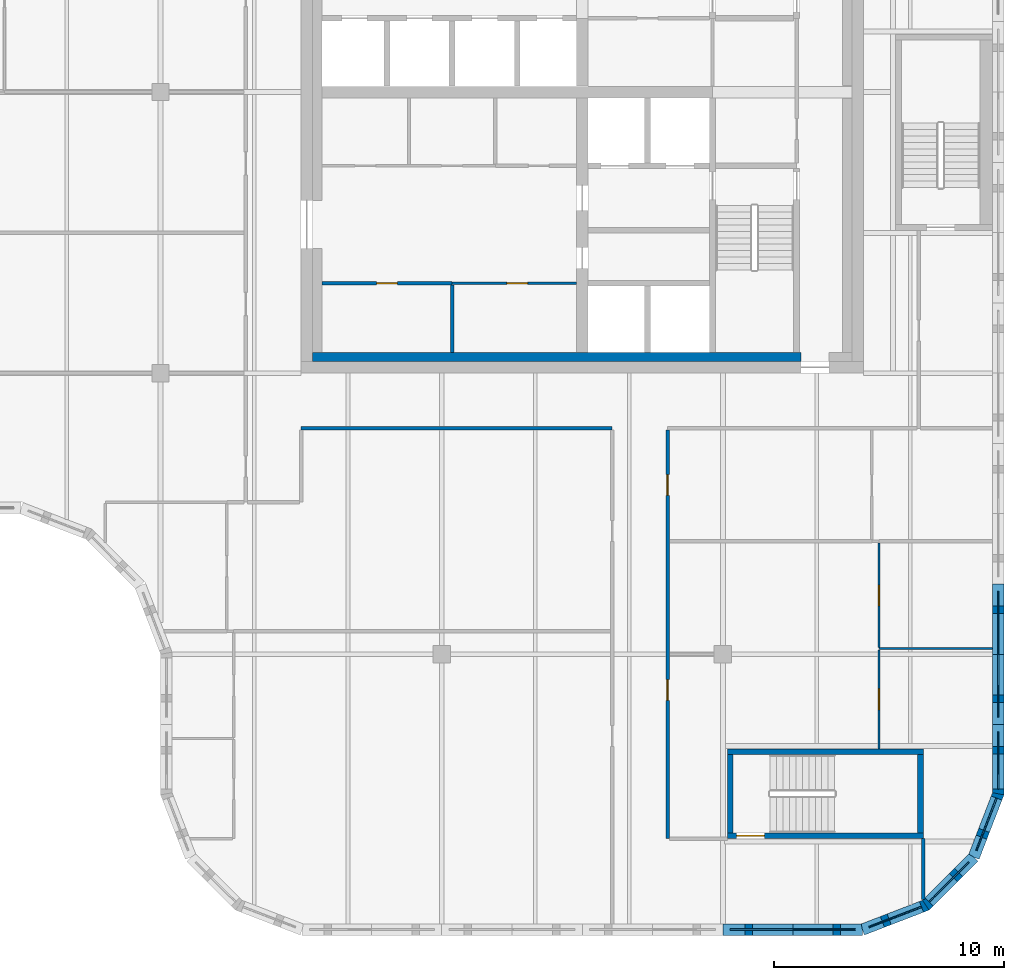
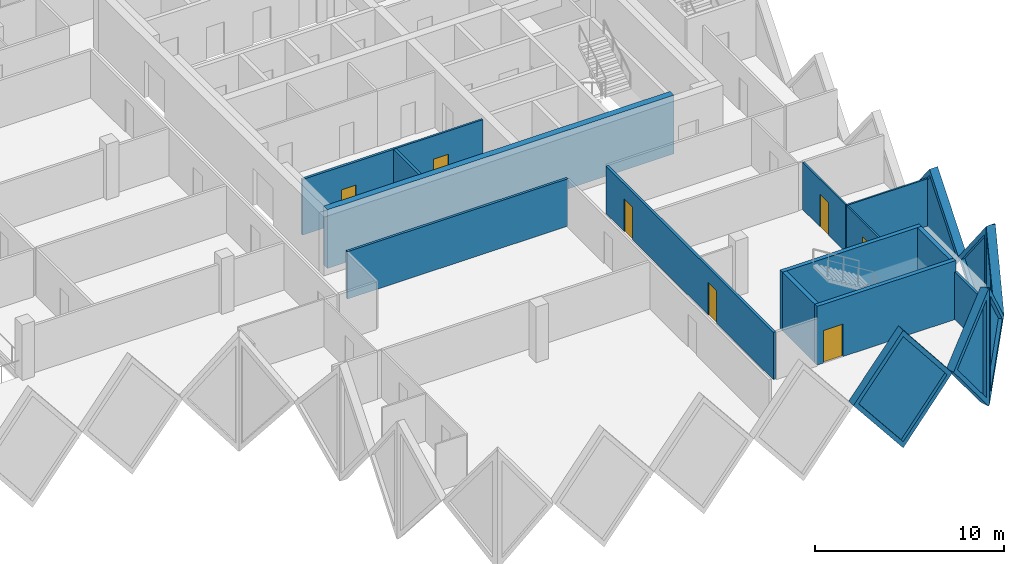
# One storey, part 5 of 12: 20 walls, 7 doors, 6 plates, 13 openings.
"""IFC4 building model written with IfcOpenShell, lengths in metres."""

from ifc_helpers import new_model, si_unit, direction, frame, frame_2d, origin, place, context, subcontext, project, spatial, polyline, rectangle, outline, extrude, faceted_brep, source, transform, mapped, material, layer, layer_set, type_object, element, fill, save


model = new_model("IFC4")

# Units and contexts
model_context = context("Model", 3, precision=1e-05, world=origin(), true_north=direction((0.0, 1.0)))
body_context = subcontext(model_context, "Body", "Model", "MODEL_VIEW")
ifc_project = project(units=[si_unit("LENGTHUNIT", "METRE"), si_unit("AREAUNIT", "SQUARE_METRE"), si_unit("VOLUMEUNIT", "CUBIC_METRE"), si_unit("PLANEANGLEUNIT", "RADIAN"), si_unit("MASSUNIT", "GRAM", prefix="KILO")], contexts=[model_context])

# Site, building, storey
site_placement = place(None, origin())
site = spatial("IfcSite", under=ifc_project, at=site_placement, CompositionType="ELEMENT")
building_placement = place(site_placement, origin())
building = spatial("IfcBuilding", under=site, at=building_placement, Name="Tessera Gate Towers", CompositionType="ELEMENT")
storey_placement = place(building_placement, frame((0.0, 0.0, 216.89990234375)))
storey = spatial("IfcBuildingStorey", under=building, at=storey_placement, Name="L54", CompositionType="ELEMENT", Elevation=216.89990234375)

# Wall, opening, door
ifc_material_1 = material(Name="Concrete C40/50", Category="concrete")
ifc_layer_1 = layer(ifc_material_1, 0.25)
ifc_layer_set_1 = layer_set([ifc_layer_1], Name="CORE ENCLOSURE WALL 250")
wall_type_1 = type_object("IfcWallType", Name="CORE ENCLOSURE WALL 250", PredefinedType="SOLIDWALL", material=ifc_layer_set_1)
wall_1_placement = place(storey_placement, frame((57.5, 4.324951171875, 0.0), z_axis=(0.0, 0.0, 1.0), x_axis=(-1.0, 0.0, 0.0)))
wall_1 = element("IfcWall", 1, at=wall_1_placement, inside=storey, type_object=wall_type_1, Name="L54 ST4 enclosure wall", PredefinedType="SOLIDWALL", context=body_context, shape_type="SweptSolid", body=[
    extrude(rectangle(XDim=8.5, YDim=0.25, at=frame_2d((4.25, 0.0))), origin(), (0.0, 0.0, 1.0), 3.800048828125),
])
shared_shape_1 = source(origin(), body_context, "Body", "SweptSolid", [
    extrude(rectangle(XDim=1.199951171875, YDim=2.10009765625, at=frame_2d((0.60009765625, 1.050048828125))), frame((0.0, 0.135009765625, 0.0), z_axis=(0.0, -1.0, 0.0), x_axis=(1.0, 0.0, 0.0)), (0.0, 0.0, 1.0), 0.27001953125),
])
opening_1_placement = place(wall_1_placement, frame((6.89990234375, 0.0, 0.0)))
opening_1 = element("IfcOpeningElement", 2, at=opening_1_placement, cuts=wall_1, Name="Opening SD-ST4-1", PredefinedType="OPENING", context=body_context, shape_type="MappedRepresentation", body=[
    mapped(shared_shape_1, transform((0.0, 0.0, 0.0), scale=1.0)),
])
ifc_material_2 = material(Name="Hollow steel fire door", Category="steel")
door_type_1 = type_object("IfcDoorType", Name="CORE DOOR SD 1200x2100", OperationType="NOTDEFINED", PredefinedType="DOOR", material=ifc_material_2)
shared_shape_2 = source(origin(), body_context, "Body", "SweptSolid", [
    extrude(rectangle(XDim=1.199951171875, YDim=2.10009765625, at=frame_2d((0.60009765625, 1.050048828125))), frame((0.0, 0.02490234375, 0.0), z_axis=(0.0, -1.0, 0.0), x_axis=(1.0, 0.0, 0.0)), (0.0, 0.0, 1.0), 0.050048828125),
])
door_1_placement = place(opening_1_placement, origin())
door_1 = element("IfcDoor", 3, at=door_1_placement, inside=storey, type_object=door_type_1, Name="Stair door", OperationType="SINGLE_SWING_RIGHT", OverallHeight=2.10009765625, OverallWidth=1.199951171875, PredefinedType="DOOR", context=body_context, shape_type="MappedRepresentation", body=[
    mapped(shared_shape_2, transform((0.0, 0.0, 0.0), scale=1.0)),
])
fill(opening_1, door_1)

# Walls
wall_2_placement = place(storey_placement, frame((49.125, 4.449951171875, 0.0), z_axis=(0.0, 0.0, 1.0), x_axis=(0.0, 1.0, 0.0)))
element("IfcWall", 4, at=wall_2_placement, inside=storey, type_object=wall_type_1, Name="L54 ST4 enclosure wall", PredefinedType="SOLIDWALL", context=body_context, shape_type="SweptSolid", body=[
    extrude(rectangle(XDim=3.400146484375, YDim=0.25, at=frame_2d((1.7001953125, 0.0))), origin(), (0.0, 0.0, 1.0), 3.800048828125),
])
wall_3_placement = place(storey_placement, frame((49.0, 7.97509765625, 0.0), z_axis=(0.0, 0.0, 1.0), x_axis=(1.0, 0.0, 0.0)))
element("IfcWall", 5, at=wall_3_placement, inside=storey, type_object=wall_type_1, Name="L54 ST4 enclosure wall", PredefinedType="SOLIDWALL", context=body_context, shape_type="SweptSolid", body=[
    extrude(rectangle(XDim=8.5, YDim=0.25, at=frame_2d((4.25, 0.0))), origin(), (0.0, 0.0, 1.0), 3.800048828125),
])
wall_4_placement = place(storey_placement, frame((57.375, 7.85009765625, 0.0), z_axis=(0.0, 0.0, 1.0), x_axis=(0.0, -1.0, 0.0)))
element("IfcWall", 6, at=wall_4_placement, inside=storey, type_object=wall_type_1, Name="L54 ST4 enclosure wall", PredefinedType="SOLIDWALL", context=body_context, shape_type="SweptSolid", body=[
    extrude(rectangle(XDim=3.400146484375, YDim=0.25, at=frame_2d((1.7001953125, 0.0))), origin(), (0.0, 0.0, 1.0), 3.800048828125),
])

# Wall, opening, door
ifc_material_3 = material(Name="Gypsum board on steel studs", Category="steel")
ifc_layer_2 = layer(ifc_material_3, 0.1201171875)
ifc_layer_set_2 = layer_set([ifc_layer_2], Name="CORE PARTITION 120")
wall_type_2 = type_object("IfcWallType", Name="CORE PARTITION 120", PredefinedType="PARTITIONING", material=ifc_layer_set_2)
wall_5_placement = place(storey_placement, frame((42.449951171875, 28.300048828125, 0.0), z_axis=(0.0, 0.0, 1.0), x_axis=(-1.0, 0.0, 0.0)))
wall_5 = element("IfcWall", 7, at=wall_5_placement, inside=storey, type_object=wall_type_2, Name="L54 core partition", PredefinedType="PARTITIONING", context=body_context, shape_type="SweptSolid", body=[
    extrude(rectangle(XDim=5.39990234375, YDim=0.1201171875, at=frame_2d((2.699951171875, 0.0))), origin(), (0.0, 0.0, 1.0), 3.60009765625),
])
shared_shape_3 = source(origin(), body_context, "Body", "SweptSolid", [
    extrude(rectangle(XDim=0.89990234375, YDim=2.10009765625, at=frame_2d((0.449951171875, 1.050048828125))), frame((0.0, 0.070068359375, 0.0), z_axis=(0.0, -1.0, 0.0), x_axis=(1.0, 0.0, 0.0)), (0.0, 0.0, 1.0), 0.14013671875),
])
opening_2_placement = place(wall_5_placement, frame((2.125, 0.0, 0.0)))
opening_2 = element("IfcOpeningElement", 8, at=opening_2_placement, cuts=wall_5, Name="Opening RD-T1-33-14", PredefinedType="OPENING", context=body_context, shape_type="MappedRepresentation", body=[
    mapped(shared_shape_3, transform((0.0, 0.0, 0.0), scale=1.0)),
])
ifc_material_4 = material(Name="Hollow steel fire door", Category="steel")
door_type_2 = type_object("IfcDoorType", Name="CORE DOOR RD 900x2100", OperationType="NOTDEFINED", PredefinedType="DOOR", material=ifc_material_4)
shared_shape_4 = source(origin(), body_context, "Body", "SweptSolid", [
    extrude(rectangle(XDim=0.89990234375, YDim=2.10009765625, at=frame_2d((0.449951171875, 1.050048828125))), frame((0.0, 0.02490234375, 0.0), z_axis=(0.0, -1.0, 0.0), x_axis=(1.0, 0.0, 0.0)), (0.0, 0.0, 1.0), 0.050048828125),
])
door_2_placement = place(opening_2_placement, origin())
door_2 = element("IfcDoor", 9, at=door_2_placement, inside=storey, type_object=door_type_2, Name="Core room door", OperationType="SINGLE_SWING_LEFT", OverallHeight=2.10009765625, OverallWidth=0.89990234375, PredefinedType="DOOR", context=body_context, shape_type="MappedRepresentation", body=[
    mapped(shared_shape_4, transform((0.0, 0.0, 0.0), scale=1.0)),
])
fill(opening_2, door_2)

# Walls
ifc_material_5 = material(Name="Concrete C50/60", Category="concrete")
ifc_layer_3 = layer(ifc_material_5, 0.39990234375)
ifc_layer_set_3 = layer_set([ifc_layer_3], Name="CORE WALL THICKENING 400")
wall_type_3 = type_object("IfcWallType", Name="CORE WALL THICKENING 400", PredefinedType="SOLIDWALL", material=ifc_layer_set_3)
wall_6_placement = place(storey_placement, frame((31.0, 25.10009765625, 0.0), z_axis=(0.0, 0.0, 1.0), x_axis=(1.0, 0.0, 0.0)))
element("IfcWall", 10, at=wall_6_placement, inside=storey, type_object=wall_type_3, Name="Core wall thickening S L54", PredefinedType="SOLIDWALL", context=body_context, shape_type="SweptSolid", body=[
    extrude(rectangle(XDim=21.199951171875, YDim=0.39990234375, at=frame_2d((10.60009765625, 0.0))), origin(), (0.0, 0.0, 1.0), 3.800048828125),
])
ifc_material_6 = material(Name="Gypsum board on steel studs, mineral wool", Category="steel")
ifc_layer_4 = layer(ifc_material_6, 0.14990234375)
ifc_layer_set_4 = layer_set([ifc_layer_4], Name="CORRIDOR WALL 150")
wall_type_4 = type_object("IfcWallType", Name="CORRIDOR WALL 150", PredefinedType="PARTITIONING", material=ifc_layer_set_4)
wall_7_placement = place(storey_placement, frame((57.5, 1.55908203125, 0.0), z_axis=(0.0, 0.0, 1.0), x_axis=(0.0, 1.0, 0.0)))
element("IfcWall", 11, at=wall_7_placement, inside=storey, type_object=wall_type_4, Name="T1-L54-PW-002", PredefinedType="PARTITIONING", context=body_context, shape_type="SweptSolid", body=[
    extrude(rectangle(XDim=2.640869140625, YDim=0.14990234375, at=frame_2d((1.3203125, 0.0))), origin(), (0.0, 0.0, 1.0), 3.067138671875),
])

# Wall, openings, doors
wall_8_placement = place(storey_placement, frame((46.39990234375, 21.924072265625, 0.0), z_axis=(0.0, 0.0, 1.0), x_axis=(0.0, -1.0, 0.0)))
wall_8 = element("IfcWall", 12, at=wall_8_placement, inside=storey, type_object=wall_type_4, Name="T1-L54-PW-005", PredefinedType="PARTITIONING", context=body_context, shape_type="SweptSolid", body=[
    extrude(rectangle(XDim=17.72412109375, YDim=0.14990234375, at=frame_2d((8.862060546875, 0.0))), origin(), (0.0, 0.0, 1.0), 3.067138671875),
])
shared_shape_5 = source(origin(), body_context, "Body", "SweptSolid", [
    extrude(rectangle(XDim=0.89990234375, YDim=2.10009765625, at=frame_2d((0.449951171875, 1.050048828125))), frame((0.0, 0.0849609375, 0.0), z_axis=(0.0, -1.0, 0.0), x_axis=(1.0, 0.0, 0.0)), (0.0, 0.0, 1.0), 0.169921875),
])
opening_3_placement = place(wall_8_placement, frame((1.923095703125, 0.0, 0.0)))
opening_3 = element("IfcOpeningElement", 13, at=opening_3_placement, cuts=wall_8, Name="Opening D890FD60-A19-02", PredefinedType="OPENING", context=body_context, shape_type="MappedRepresentation", body=[
    mapped(shared_shape_5, transform((0.0, 0.0, 0.0), scale=1.0)),
])
opening_4_placement = place(wall_8_placement, frame((10.823974609375, 0.0, 0.0)))
opening_4 = element("IfcOpeningElement", 14, at=opening_4_placement, cuts=wall_8, Name="Opening D890FD60-A19-11", PredefinedType="OPENING", context=body_context, shape_type="MappedRepresentation", body=[
    mapped(shared_shape_5, transform((0.0, 0.0, 0.0), scale=1.0)),
])
ifc_material_7 = material(Name="Timber door leaf in steel frame", Category="steel")
door_type_3 = type_object("IfcDoorType", Name="CORRIDOR DOOR 900 FD60", OperationType="NOTDEFINED", PredefinedType="DOOR", material=ifc_material_7)
door_3_placement = place(opening_3_placement, origin())
door_3 = element("IfcDoor", 15, at=door_3_placement, inside=storey, type_object=door_type_3, Name="T1-L54-PD-008", OperationType="SINGLE_SWING_RIGHT", OverallHeight=2.10009765625, OverallWidth=0.89990234375, PredefinedType="DOOR", context=body_context, shape_type="MappedRepresentation", body=[
    mapped(shared_shape_4, transform((0.0, 0.0, 0.0), scale=1.0)),
])
fill(opening_3, door_3)
door_4_placement = place(opening_4_placement, origin())
door_4 = element("IfcDoor", 16, at=door_4_placement, inside=storey, type_object=door_type_3, Name="T1-L54-PD-027", OperationType="SINGLE_SWING_RIGHT", OverallHeight=2.10009765625, OverallWidth=0.89990234375, PredefinedType="DOOR", context=body_context, shape_type="MappedRepresentation", body=[
    mapped(shared_shape_4, transform((0.0, 0.0, 0.0), scale=1.0)),
])
fill(opening_4, door_4)

# Wall
wall_9_placement = place(storey_placement, frame((30.5, 22.0, 0.0), z_axis=(0.0, 0.0, 1.0), x_axis=(1.0, 0.0, 0.0)))
element("IfcWall", 17, at=wall_9_placement, inside=storey, type_object=wall_type_4, Name="T1-L54-PW-028", PredefinedType="PARTITIONING", context=body_context, shape_type="SweptSolid", body=[
    extrude(rectangle(XDim=13.5, YDim=0.14990234375, at=frame_2d((6.75, 0.0))), origin(), (0.0, 0.0, 1.0), 3.067138671875),
])

# Wall, opening, door
ifc_material_8 = material(Name="Gypsum board on steel studs", Category="steel")
ifc_layer_5 = layer(ifc_material_8, 0.10009765625)
ifc_layer_set_5 = layer_set([ifc_layer_5], Name="PARTITION 100")
wall_type_5 = type_object("IfcWallType", Name="PARTITION 100", PredefinedType="PARTITIONING", material=ifc_layer_set_5)
wall_10_placement = place(storey_placement, frame((55.574951171875, 12.396728515625, 0.0), z_axis=(0.0, 0.0, 1.0), x_axis=(0.0, -1.0, 0.0)))
wall_10 = element("IfcWall", 18, at=wall_10_placement, inside=storey, type_object=wall_type_5, Name="T1-L54-PW-007", PredefinedType="PARTITIONING", context=body_context, shape_type="SweptSolid", body=[
    extrude(rectangle(XDim=4.296630859375, YDim=0.10009765625, at=frame_2d((2.1484375, 0.0))), origin(), (0.0, 0.0, 1.0), 3.067138671875),
])
shared_shape_6 = source(origin(), body_context, "Body", "SweptSolid", [
    extrude(rectangle(XDim=0.89990234375, YDim=2.10009765625, at=frame_2d((0.449951171875, 1.050048828125))), frame((0.0, 0.06005859375, 0.0), z_axis=(0.0, -1.0, 0.0), x_axis=(1.0, 0.0, 0.0)), (0.0, 0.0, 1.0), 0.1201171875),
])
opening_5_placement = place(wall_10_placement, frame((1.69677734375, 0.0, 0.0)))
opening_5 = element("IfcOpeningElement", 19, at=opening_5_placement, cuts=wall_10, Name="Opening D190-A19-01", PredefinedType="OPENING", context=body_context, shape_type="MappedRepresentation", body=[
    mapped(shared_shape_6, transform((0.0, 0.0, 0.0), scale=1.0)),
])
ifc_material_9 = material(Name="Timber door leaf in steel frame", Category="steel")
door_type_4 = type_object("IfcDoorType", Name="INTERNAL DOOR 900 NOT RATED", OperationType="NOTDEFINED", PredefinedType="DOOR", material=ifc_material_9)
door_5_placement = place(opening_5_placement, origin())
door_5 = element("IfcDoor", 20, at=door_5_placement, inside=storey, type_object=door_type_4, Name="T1-L54-PD-002", OperationType="SINGLE_SWING_RIGHT", OverallHeight=2.10009765625, OverallWidth=0.89990234375, PredefinedType="DOOR", context=body_context, shape_type="MappedRepresentation", body=[
    mapped(shared_shape_4, transform((0.0, 0.0, 0.0), scale=1.0)),
])
fill(opening_5, door_5)

# Wall
wall_11_placement = place(storey_placement, frame((55.574951171875, 12.447998046875, 0.0), z_axis=(0.0, 0.0, 1.0), x_axis=(1.0, 0.0, 0.0)))
element("IfcWall", 21, at=wall_11_placement, inside=storey, type_object=wall_type_5, Name="T1-L54-PW-011", PredefinedType="PARTITIONING", context=body_context, shape_type="SweptSolid", body=[
    extrude(rectangle(XDim=4.925048828125, YDim=0.10009765625, at=frame_2d((2.46240234375, 0.0))), origin(), (0.0, 0.0, 1.0), 3.067138671875),
])

# Wall, opening, door
wall_12_placement = place(storey_placement, frame((55.574951171875, 17.02392578125, 0.0), z_axis=(0.0, 0.0, 1.0), x_axis=(0.0, -1.0, 0.0)))
wall_12 = element("IfcWall", 22, at=wall_12_placement, inside=storey, type_object=wall_type_5, Name="T1-L54-PW-012", PredefinedType="PARTITIONING", context=body_context, shape_type="SweptSolid", body=[
    extrude(rectangle(XDim=4.525146484375, YDim=0.10009765625, at=frame_2d((2.2626953125, 0.0))), origin(), (0.0, 0.0, 1.0), 3.067138671875),
])
opening_6_placement = place(wall_12_placement, frame((1.8251953125, 0.0, 0.0)))
opening_6 = element("IfcOpeningElement", 23, at=opening_6_placement, cuts=wall_12, Name="Opening D190-A19-02", PredefinedType="OPENING", context=body_context, shape_type="MappedRepresentation", body=[
    mapped(shared_shape_6, transform((0.0, 0.0, 0.0), scale=1.0)),
])
door_6_placement = place(opening_6_placement, origin())
door_6 = element("IfcDoor", 24, at=door_6_placement, inside=storey, type_object=door_type_4, Name="T1-L54-PD-004", OperationType="SINGLE_SWING_RIGHT", OverallHeight=2.10009765625, OverallWidth=0.89990234375, PredefinedType="DOOR", context=body_context, shape_type="MappedRepresentation", body=[
    mapped(shared_shape_4, transform((0.0, 0.0, 0.0), scale=1.0)),
])
fill(opening_6, door_6)

ifc_material_10 = material(Name="Gypsum board on steel studs", Category="steel")
ifc_layer_6 = layer(ifc_material_10, 0.14990234375)
ifc_layer_set_6 = layer_set([ifc_layer_6], Name="SERVICE ROOM WALL 150")
wall_type_6 = type_object("IfcWallType", Name="SERVICE ROOM WALL 150", PredefinedType="PARTITIONING", material=ifc_layer_set_6)
wall_13_placement = place(storey_placement, frame((37.050048828125, 28.300048828125, 0.0), z_axis=(0.0, 0.0, 1.0), x_axis=(-1.0, 0.0, 0.0)))
wall_13 = element("IfcWall", 25, at=wall_13_placement, inside=storey, type_object=wall_type_6, Name="L54 service room wall", PredefinedType="PARTITIONING", context=body_context, shape_type="SweptSolid", body=[
    extrude(rectangle(XDim=5.650146484375, YDim=0.14990234375, at=frame_2d((2.8251953125, 0.0))), origin(), (0.0, 0.0, 1.0), 3.60009765625),
])
opening_7_placement = place(wall_13_placement, frame((2.375, 0.0, 0.0)))
opening_7 = element("IfcOpeningElement", 26, at=opening_7_placement, cuts=wall_13, Name="Opening RD-T1-33-13", PredefinedType="OPENING", context=body_context, shape_type="MappedRepresentation", body=[
    mapped(shared_shape_5, transform((0.0, 0.0, 0.0), scale=1.0)),
])
door_7_placement = place(opening_7_placement, origin())
door_7 = element("IfcDoor", 27, at=door_7_placement, inside=storey, type_object=door_type_2, Name="Core room door", OperationType="SINGLE_SWING_LEFT", OverallHeight=2.10009765625, OverallWidth=0.89990234375, PredefinedType="DOOR", context=body_context, shape_type="MappedRepresentation", body=[
    mapped(shared_shape_4, transform((0.0, 0.0, 0.0), scale=1.0)),
])
fill(opening_7, door_7)

# Wall
wall_14_placement = place(storey_placement, frame((37.050048828125, 25.300048828125, 0.0), z_axis=(0.0, 0.0, 1.0), x_axis=(0.0, 1.0, 0.0)))
element("IfcWall", 28, at=wall_14_placement, inside=storey, type_object=wall_type_6, Name="L54 service room wall", PredefinedType="PARTITIONING", context=body_context, shape_type="SweptSolid", body=[
    extrude(rectangle(XDim=2.925048828125, YDim=0.14990234375, at=frame_2d((1.46240234375, 0.0))), origin(), (0.0, 0.0, 1.0), 3.60009765625),
])

# Wall, opening, plate
ifc_material_11 = material(Name="Precast concrete C60/75 white", Category="concrete")
ifc_layer_7 = layer(ifc_material_11, 0.5)
ifc_layer_set_7 = layer_set([ifc_layer_7], Name="TS3 corner tessera")
wall_type_7 = type_object("IfcWallType", Name="TS3 corner tessera", PredefinedType="SOLIDWALL", material=ifc_layer_set_7)
shared_shape_7 = source(origin(), body_context, "Body", "Brep", [
    faceted_brep([(0.046630859375, -0.25, 0.0), (3.050048828125, -0.25, 3.7998046875), (0.046630859375, -0.25, 7.599853515625), (0.0, -0.25, 7.539794921875), (0.0, -0.25, 0.06005859375), (0.09326171875, 0.25, 7.541015625), (3.050048828125, 0.25, 3.7998046875), (0.09326171875, 0.25, 0.058837890625), (0.046630859375, 0.0, 0.0), (0.046630859375, 0.0, 7.599853515625)], [[[0, 1, 2, 3, 4]], [[5, 6, 7]], [[7, 6, 1, 0, 8]], [[6, 5, 9, 2, 1]], [[3, 2, 9]], [[8, 0, 4]], [[7, 8, 4, 3, 9, 5]]]),
])
wall_15_placement = place(storey_placement, frame((60.75, 6.099853515625, -3.7998046875), z_axis=(0.0, 0.0, 1.0), x_axis=(0.0, 1.0, 0.0)))
wall_15 = element("IfcWall", 29, at=wall_15_placement, inside=storey, type_object=wall_type_7, Name="Precast corner tessera T1 TS3-1252", PredefinedType="SOLIDWALL", context=body_context, shape_type="MappedRepresentation", body=[
    mapped(shared_shape_7, transform((0.0, 0.0, 0.0), scale=1.0)),
])
shared_shape_8 = source(origin(), body_context, "Body", "SweptSolid", [
    extrude(outline(polyline([(0.24658203125, 0.656005859375), (2.7314453125, 3.7998046875), (0.24658203125, 6.943603515625), (0.24658203125, 0.656005859375)])), frame((0.0, 0.260009765625, 0.0), z_axis=(0.0, -1.0, 0.0), x_axis=(1.0, 0.0, 0.0)), (0.0, 0.0, 1.0), 0.52001953125),
])
opening_8_placement = place(wall_15_placement, origin())
opening_8 = element("IfcOpeningElement", 30, at=opening_8_placement, cuts=wall_15, Name="Opening T1-PL2-1934", PredefinedType="OPENING", context=body_context, shape_type="MappedRepresentation", body=[
    mapped(shared_shape_8, transform((0.0, 0.0, 0.0), scale=1.0)),
])
ifc_material_12 = material(Name="Low-e laminated glass", Category="glass")
ifc_layer_8 = layer(ifc_material_12, 0.06005859375)
ifc_layer_set_8 = layer_set([ifc_layer_8], Name="PL2 rhombic pane")
plate_type = type_object("IfcPlateType", Name="PL2 rhombic pane", PredefinedType="SHEET", material=ifc_layer_set_8)
shared_shape_9 = source(origin(), body_context, "Body", "SweptSolid", [
    extrude(outline(polyline([(0.24658203125, 0.656005859375), (2.7314453125, 3.7998046875), (0.24658203125, 6.943603515625), (0.24658203125, 0.656005859375)])), frame((0.0, 0.030029296875, 0.0), z_axis=(0.0, -1.0, 0.0), x_axis=(1.0, 0.0, 0.0)), (0.0, 0.0, 1.0), 0.06005859375),
])
plate_1_placement = place(opening_8_placement, origin())
plate_1 = element("IfcPlate", 31, at=plate_1_placement, inside=storey, type_object=plate_type, Name="Glass pane T1 PL2-1934", PredefinedType="SHEET", context=body_context, shape_type="MappedRepresentation", body=[
    mapped(shared_shape_9, transform((0.0, 0.0, 0.0), scale=1.0)),
])
fill(opening_8, plate_1)

ifc_material_13 = material(Name="Precast concrete C60/75 white", Category="concrete")
ifc_layer_9 = layer(ifc_material_13, 0.5)
ifc_layer_set_9 = layer_set([ifc_layer_9], Name="TS1 tessera")
wall_type_8 = type_object("IfcWallType", Name="TS1 tessera", PredefinedType="SOLIDWALL", material=ifc_layer_set_9)
shared_shape_10 = source(origin(), body_context, "Body", "SweptSolid", [
    extrude(outline(polyline([(3.050048828125, 0.0), (6.10009765625, 3.7998046875), (3.050048828125, 7.599853515625), (0.0, 3.7998046875), (3.050048828125, 0.0)])), frame((0.0, 0.25, 0.0), z_axis=(0.0, -1.0, 0.0), x_axis=(1.0, 0.0, 0.0)), (0.0, 0.0, 1.0), 0.5),
])
wall_16_placement = place(storey_placement, frame((60.75, 9.14990234375, -3.7998046875), z_axis=(0.0, 0.0, 1.0), x_axis=(0.0, 1.0, 0.0)))
wall_16 = element("IfcWall", 32, at=wall_16_placement, inside=storey, type_object=wall_type_8, Name="Precast tessera T1 TS1-0947", PredefinedType="SOLIDWALL", context=body_context, shape_type="MappedRepresentation", body=[
    mapped(shared_shape_10, transform((0.0, 0.0, 0.0), scale=1.0)),
])
shared_shape_11 = source(origin(), body_context, "Body", "SweptSolid", [
    extrude(outline(polyline([(3.050048828125, 0.3994140625), (5.779541015625, 3.7998046875), (3.050048828125, 7.200439453125), (0.320556640625, 3.7998046875), (3.050048828125, 0.3994140625)])), frame((0.0, 0.260009765625, 0.0), z_axis=(0.0, -1.0, 0.0), x_axis=(1.0, 0.0, 0.0)), (0.0, 0.0, 1.0), 0.52001953125),
])
opening_9_placement = place(wall_16_placement, origin())
opening_9 = element("IfcOpeningElement", 33, at=opening_9_placement, cuts=wall_16, Name="Opening T1-PL2-1935", PredefinedType="OPENING", context=body_context, shape_type="MappedRepresentation", body=[
    mapped(shared_shape_11, transform((0.0, 0.0, 0.0), scale=1.0)),
])
shared_shape_12 = source(origin(), body_context, "Body", "SweptSolid", [
    extrude(outline(polyline([(3.050048828125, 0.3994140625), (5.779541015625, 3.7998046875), (3.050048828125, 7.200439453125), (0.320556640625, 3.7998046875), (3.050048828125, 0.3994140625)])), frame((0.0, 0.030029296875, 0.0), z_axis=(0.0, -1.0, 0.0), x_axis=(1.0, 0.0, 0.0)), (0.0, 0.0, 1.0), 0.06005859375),
])
plate_2_placement = place(opening_9_placement, origin())
plate_2 = element("IfcPlate", 34, at=plate_2_placement, inside=storey, type_object=plate_type, Name="Glass pane T1 PL2-1935", PredefinedType="SHEET", context=body_context, shape_type="MappedRepresentation", body=[
    mapped(shared_shape_12, transform((0.0, 0.0, 0.0), scale=1.0)),
])
fill(opening_9, plate_2)

shared_shape_13 = source(origin(), body_context, "Body", "Brep", [
    faceted_brep([(3.050048828125, -0.25, 0.0), (6.053466796875, -0.25, 3.7998046875), (3.050048828125, -0.25, 7.599853515625), (0.0, -0.25, 3.7998046875), (0.0, 0.25, 3.7998046875), (3.050048828125, 0.25, 7.599853515625), (6.0068359375, 0.25, 3.858642578125), (6.0068359375, 0.25, 3.740966796875), (3.050048828125, 0.25, 0.0), (6.053466796875, 0.0, 3.7998046875)], [[[0, 1, 2, 3]], [[4, 5, 6, 7, 8]], [[8, 7, 9, 1, 0]], [[6, 5, 2, 1, 9]], [[5, 4, 3, 2]], [[4, 8, 0, 3]], [[9, 7, 6]]]),
])
wall_17_placement = place(storey_placement, frame((48.800048828125, 0.25, -3.7998046875), z_axis=(0.0, 0.0, 1.0), x_axis=(1.0, 0.0, 0.0)))
wall_17 = element("IfcWall", 35, at=wall_17_placement, inside=storey, type_object=wall_type_8, Name="Precast tessera T1 TS1-0946", PredefinedType="SOLIDWALL", context=body_context, shape_type="MappedRepresentation", body=[
    mapped(shared_shape_13, transform((0.0, 0.0, 0.0), scale=1.0)),
])
shared_shape_14 = source(origin(), body_context, "Body", "SweptSolid", [
    extrude(outline(polyline([(3.048583984375, 0.401123046875), (5.73486328125, 3.7998046875), (3.048583984375, 7.19873046875), (0.320556640625, 3.7998046875), (3.048583984375, 0.401123046875)])), frame((0.0, 0.260009765625, 0.0), z_axis=(0.0, -1.0, 0.0), x_axis=(1.0, 0.0, 0.0)), (0.0, 0.0, 1.0), 0.52001953125),
])
opening_10_placement = place(wall_17_placement, origin())
opening_10 = element("IfcOpeningElement", 36, at=opening_10_placement, cuts=wall_17, Name="Opening T1-PL2-1930", PredefinedType="OPENING", context=body_context, shape_type="MappedRepresentation", body=[
    mapped(shared_shape_14, transform((0.0, 0.0, 0.0), scale=1.0)),
])
shared_shape_15 = source(origin(), body_context, "Body", "SweptSolid", [
    extrude(outline(polyline([(3.048583984375, 0.401123046875), (5.73486328125, 3.7998046875), (3.048583984375, 7.19873046875), (0.320556640625, 3.7998046875), (3.048583984375, 0.401123046875)])), frame((0.0, 0.030029296875, 0.0), z_axis=(0.0, -1.0, 0.0), x_axis=(1.0, 0.0, 0.0)), (0.0, 0.0, 1.0), 0.06005859375),
])
plate_3_placement = place(opening_10_placement, origin())
plate_3 = element("IfcPlate", 37, at=plate_3_placement, inside=storey, type_object=plate_type, Name="Glass pane T1 PL2-1930", PredefinedType="SHEET", context=body_context, shape_type="MappedRepresentation", body=[
    mapped(shared_shape_15, transform((0.0, 0.0, 0.0), scale=1.0)),
])
fill(opening_10, plate_3)

shared_shape_16 = source(origin(), body_context, "Body", "Brep", [
    faceted_brep([(2.950439453125, -0.25, 0.0), (2.9970703125, -0.25, 0.05908203125), (2.9970703125, -0.25, 7.540771484375), (2.950439453125, -0.25, 7.599853515625), (0.0, -0.25, 3.7998046875), (0.052978515625, 0.25, 3.867919921875), (2.904052734375, 0.25, 7.5400390625), (2.904052734375, 0.25, 0.059814453125), (0.052978515625, 0.25, 3.731689453125), (2.950439453125, 0.00048828125, 0.0), (2.950439453125, 0.00048828125, 7.599853515625), (0.0, 0.0, 3.7998046875)], [[[0, 1, 2, 3, 4]], [[5, 6, 7, 8]], [[1, 0, 9]], [[10, 3, 2]], [[6, 5, 11, 4, 3, 10]], [[8, 7, 9, 0, 4, 11]], [[8, 11, 5]], [[1, 9, 7, 6, 10, 2]]]),
])
wall_18_placement = place(storey_placement, frame((59.68798828125, 3.393798828125, -3.7998046875), z_axis=(0.0, 0.0, 1.0), x_axis=(0.359972353723, 0.932962970624, 0.0)))
wall_18 = element("IfcWall", 38, at=wall_18_placement, inside=storey, type_object=wall_type_7, Name="Precast corner tessera T1 TS3-1251", PredefinedType="SOLIDWALL", context=body_context, shape_type="MappedRepresentation", body=[
    mapped(shared_shape_16, transform((0.0, 0.0, 0.0), scale=1.0)),
])
shared_shape_17 = source(origin(), body_context, "Body", "SweptSolid", [
    extrude(outline(polyline([(2.75048828125, 6.9345703125), (0.31640625, 3.7998046875), (2.75048828125, 0.6650390625), (2.75048828125, 6.9345703125)])), frame((0.0, 0.260009765625, 0.0), z_axis=(0.0, -1.0, 0.0), x_axis=(1.0, 0.0, 0.0)), (0.0, 0.0, 1.0), 0.52001953125),
])
opening_11_placement = place(wall_18_placement, origin())
opening_11 = element("IfcOpeningElement", 39, at=opening_11_placement, cuts=wall_18, Name="Opening T1-PL2-1933", PredefinedType="OPENING", context=body_context, shape_type="MappedRepresentation", body=[
    mapped(shared_shape_17, transform((0.0, 0.0, 0.0), scale=1.0)),
])
shared_shape_18 = source(origin(), body_context, "Body", "SweptSolid", [
    extrude(outline(polyline([(2.75048828125, 6.9345703125), (0.31640625, 3.7998046875), (2.75048828125, 0.6650390625), (2.75048828125, 6.9345703125)])), frame((0.0, 0.030029296875, 0.0), z_axis=(0.0, -1.0, 0.0), x_axis=(1.0, 0.0, 0.0)), (0.0, 0.0, 1.0), 0.06005859375),
])
plate_4_placement = place(opening_11_placement, origin())
plate_4 = element("IfcPlate", 40, at=plate_4_placement, inside=storey, type_object=plate_type, Name="Glass pane T1 PL2-1933", PredefinedType="SHEET", context=body_context, shape_type="MappedRepresentation", body=[
    mapped(shared_shape_18, transform((0.0, 0.0, 0.0), scale=1.0)),
])
fill(opening_11, plate_4)

shared_shape_19 = source(origin(), body_context, "Body", "Brep", [
    faceted_brep([(0.052978515625, -0.25, 0.0), (2.9970703125, -0.25, 3.7998046875), (0.052978515625, -0.25, 7.599853515625), (0.0, -0.25, 7.53173828125), (0.0, -0.25, 0.068115234375), (0.10595703125, 0.25, 7.531494140625), (2.944091796875, 0.25, 3.867919921875), (2.944091796875, 0.25, 3.731689453125), (0.10595703125, 0.25, 0.068359375), (2.9970703125, 0.000244140625, 3.7998046875), (0.052978515625, 0.0, 0.0), (0.052978515625, 0.0, 7.599853515625)], [[[0, 1, 2, 3, 4]], [[5, 6, 7, 8]], [[8, 7, 9, 1, 0, 10]], [[6, 5, 11, 2, 1, 9]], [[3, 2, 11]], [[10, 0, 4]], [[8, 10, 4, 3, 11, 5]], [[9, 7, 6]]]),
])
wall_19_placement = place(storey_placement, frame((57.56884765625, 1.2744140625, -3.7998046875), z_axis=(0.0, 0.0, 1.0), x_axis=(0.707066050402, 0.707147509625, 0.0)))
wall_19 = element("IfcWall", 41, at=wall_19_placement, inside=storey, type_object=wall_type_7, Name="Precast corner tessera T1 TS3-1250", PredefinedType="SOLIDWALL", context=body_context, shape_type="MappedRepresentation", body=[
    mapped(shared_shape_19, transform((0.0, 0.0, 0.0), scale=1.0)),
])
shared_shape_20 = source(origin(), body_context, "Body", "SweptSolid", [
    extrude(outline(polyline([(0.2529296875, 0.666259765625), (2.680908203125, 3.7998046875), (0.2529296875, 6.93359375), (0.2529296875, 0.666259765625)])), frame((0.0, 0.260009765625, 0.0), z_axis=(0.0, -1.0, 0.0), x_axis=(1.0, 0.0, 0.0)), (0.0, 0.0, 1.0), 0.52001953125),
])
opening_12_placement = place(wall_19_placement, origin())
opening_12 = element("IfcOpeningElement", 42, at=opening_12_placement, cuts=wall_19, Name="Opening T1-PL2-1932", PredefinedType="OPENING", context=body_context, shape_type="MappedRepresentation", body=[
    mapped(shared_shape_20, transform((0.0, 0.0, 0.0), scale=1.0)),
])
shared_shape_21 = source(origin(), body_context, "Body", "SweptSolid", [
    extrude(outline(polyline([(0.2529296875, 0.666259765625), (2.680908203125, 3.7998046875), (0.2529296875, 6.93359375), (0.2529296875, 0.666259765625)])), frame((0.0, 0.030029296875, 0.0), z_axis=(0.0, -1.0, 0.0), x_axis=(1.0, 0.0, 0.0)), (0.0, 0.0, 1.0), 0.06005859375),
])
plate_5_placement = place(opening_12_placement, origin())
plate_5 = element("IfcPlate", 43, at=plate_5_placement, inside=storey, type_object=plate_type, Name="Glass pane T1 PL2-1932", PredefinedType="SHEET", context=body_context, shape_type="MappedRepresentation", body=[
    mapped(shared_shape_21, transform((0.0, 0.0, 0.0), scale=1.0)),
])
fill(opening_12, plate_5)

shared_shape_22 = source(origin(), body_context, "Body", "Brep", [
    faceted_brep([(2.950439453125, -0.25, 0.0), (3.00341796875, -0.25, 0.068359375), (3.00341796875, -0.25, 7.531494140625), (2.950439453125, -0.25, 7.599853515625), (0.0, -0.25, 3.7998046875), (0.046630859375, 0.25, 3.85986328125), (2.897705078125, 0.25, 7.53173828125), (2.897705078125, 0.25, 0.068115234375), (0.046630859375, 0.25, 3.73974609375), (2.950439453125, 0.00048828125, 0.0), (2.950439453125, 0.00048828125, 7.599853515625), (0.0, 0.0, 3.7998046875)], [[[0, 1, 2, 3, 4]], [[5, 6, 7, 8]], [[1, 0, 9]], [[10, 3, 2]], [[6, 5, 11, 4, 3, 10]], [[8, 7, 9, 0, 4, 11]], [[8, 11, 5]], [[1, 9, 7, 6, 10, 2]]]),
])
wall_20_placement = place(storey_placement, frame((54.853515625, 0.25, -3.7998046875), z_axis=(0.0, 0.0, 1.0), x_axis=(0.932970071518, 0.359953949349, 0.0)))
wall_20 = element("IfcWall", 44, at=wall_20_placement, inside=storey, type_object=wall_type_7, Name="Precast corner tessera T1 TS3-1249", PredefinedType="SOLIDWALL", context=body_context, shape_type="MappedRepresentation", body=[
    mapped(shared_shape_22, transform((0.0, 0.0, 0.0), scale=1.0)),
])
opening_13_placement = place(wall_20_placement, origin())
opening_13 = element("IfcOpeningElement", 45, at=opening_13_placement, cuts=wall_20, Name="Opening T1-PL2-1931", PredefinedType="OPENING", context=body_context, shape_type="MappedRepresentation", body=[
    mapped(shared_shape_17, transform((0.0, 0.0, 0.0), scale=1.0)),
])
plate_6_placement = place(opening_13_placement, origin())
plate_6 = element("IfcPlate", 46, at=plate_6_placement, inside=storey, type_object=plate_type, Name="Glass pane T1 PL2-1931", PredefinedType="SHEET", context=body_context, shape_type="MappedRepresentation", body=[
    mapped(shared_shape_18, transform((0.0, 0.0, 0.0), scale=1.0)),
])
fill(opening_13, plate_6)

save(model, "model.ifc")
